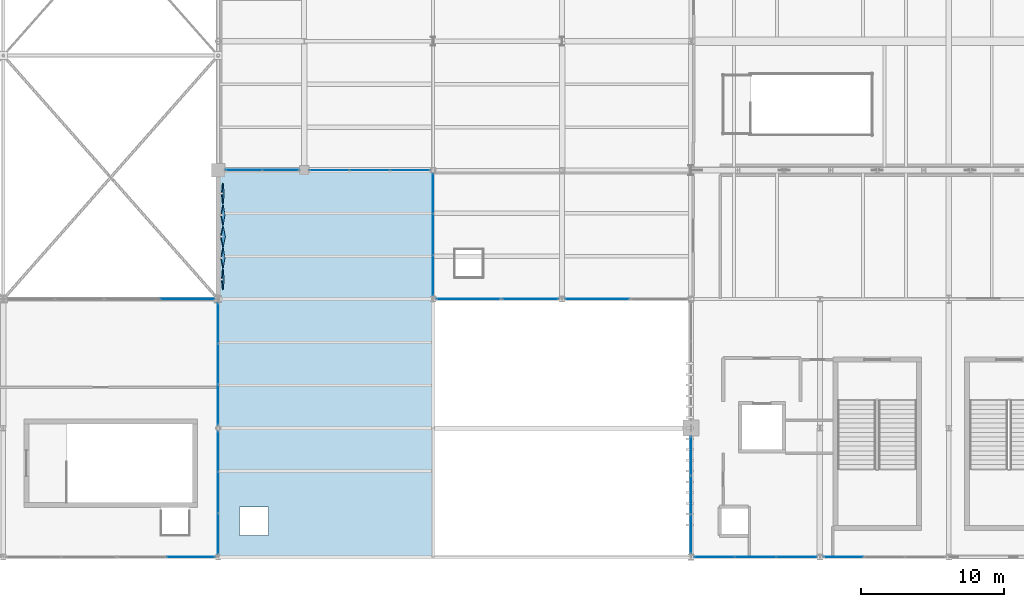
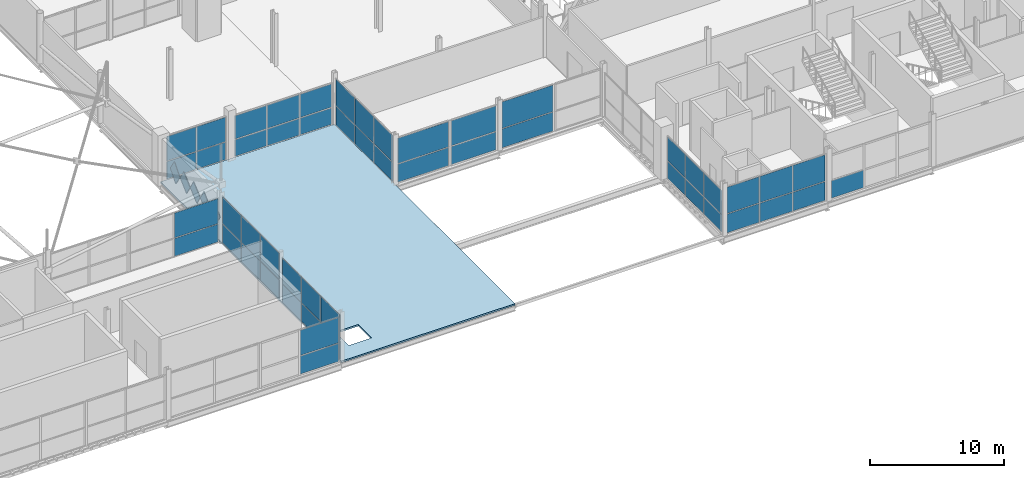
# One storey, part 167 of 224: 56 plates, 1 slab, 13 elements without a shape of their own.
"""IFC4 building model written with IfcOpenShell, lengths in metres."""

import ifcopenshell
import ifcopenshell.guid

model = None  # the IFC model being written
_history = None  # IfcOwnerHistory: only IFC2X3 demands one
_inside = {}  # id of a spatial element -> (the spatial element, [elements in it])
_under = {}  # id of a project, library or spatial element -> (it, [spatial elements below it])
_declared = {}  # id of a project -> (the project, [libraries it declares])
_typed = {}  # id of a type object -> (the type object, [elements of that type])
_made_of = {}  # id of a material, layer set ... -> (it, [elements and type objects made of it])


def new_model(schema):
    """Start an empty IFC model of exactly this schema.

    Asked for "IFC4X3", IfcOpenShell would pick the latest addendum, in which some entities
    have other attributes; the version numbers below select the first issue.
    IFC2X3 requires an IfcOwnerHistory on every rooted entity: one is made here for all.
    """
    global model, _history
    if schema == "IFC4X3":
        model = ifcopenshell.file(schema_version=(4, 3, 0, 0))
    else:
        model = ifcopenshell.file(schema=schema)
    _inside.clear()
    _under.clear()
    _declared.clear()
    _typed.clear()
    _made_of.clear()
    _history = None
    if model.schema == "IFC2X3":
        org = make("IfcOrganization", Name="unknown")
        user = make(
            "IfcPersonAndOrganization",
            ThePerson=make("IfcPerson", FamilyName="unknown"),
            TheOrganization=org,
        )
        app = make(
            "IfcApplication",
            ApplicationDeveloper=org,
            Version="unknown",
            ApplicationFullName="unknown",
            ApplicationIdentifier="unknown",
        )
        _history = make(
            "IfcOwnerHistory",
            OwningUser=user,
            OwningApplication=app,
            ChangeAction="ADDED",
            CreationDate=0,
        )
    return model


def make(cls, **values):
    """One entity of the class cls with the attributes given. An attribute that is None is left unset."""
    return model.create_entity(
        cls, **{name: value for name, value in values.items() if value is not None}
    )


def rooted(cls, **values):
    """An entity with a GlobalId (a new one), such as an element, a storey or a relation."""
    return make(cls, GlobalId=ifcopenshell.guid.new(), OwnerHistory=_history, **values)


def si_unit(unit_type, name, prefix=None):
    """IfcSIUnit, for example si_unit("LENGTHUNIT", "METRE", prefix="MILLI")."""
    return make("IfcSIUnit", UnitType=unit_type, Prefix=prefix, Name=name)


def assignment(units):
    """IfcUnitAssignment: the units of a project."""
    return None if units is None else make("IfcUnitAssignment", Units=units)


def point(xyz):
    """IfcCartesianPoint."""
    return None if xyz is None else make("IfcCartesianPoint", Coordinates=xyz)


def direction(xyz):
    """IfcDirection."""
    return None if xyz is None else make("IfcDirection", DirectionRatios=xyz)


def frame(location, z_axis=None, x_axis=None):
    """IfcAxis2Placement3D, a coordinate frame: its origin and axes. An axis left out is left unset."""
    return make(
        "IfcAxis2Placement3D",
        Location=point(location),
        Axis=direction(z_axis),
        RefDirection=direction(x_axis),
    )


def frame_2d(location, x_axis=None):
    """IfcAxis2Placement2D, a coordinate frame in the plane: its origin and x axis."""
    return make(
        "IfcAxis2Placement2D", Location=point(location), RefDirection=direction(x_axis)
    )


def origin():
    """The frame at (0, 0, 0) with its axes left unset."""
    return frame((0.0, 0.0, 0.0))


def origin_2d():
    """The frame at (0, 0) in the plane with its x axis left unset."""
    return frame_2d((0.0, 0.0))


def place(relative_to, where):
    """IfcLocalPlacement: puts the frame where relative to a parent placement (None: the world)."""
    return make(
        "IfcLocalPlacement", PlacementRelTo=relative_to, RelativePlacement=where
    )


def context(
    kind, dimensions, precision=None, world=None, true_north=None, identifier=None
):
    """IfcGeometricRepresentationContext, for example the 3D "Model" context."""
    return make(
        "IfcGeometricRepresentationContext",
        ContextIdentifier=identifier,
        ContextType=kind,
        CoordinateSpaceDimension=dimensions,
        Precision=precision,
        WorldCoordinateSystem=world,
        TrueNorth=true_north,
    )


def subcontext(parent, identifier, kind, view, scale=None):
    """IfcGeometricRepresentationSubContext, for example "Body" below "Model"."""
    return make(
        "IfcGeometricRepresentationSubContext",
        ContextIdentifier=identifier,
        ContextType=kind,
        ParentContext=parent,
        TargetScale=scale,
        TargetView=view,
    )


def project(units=None, contexts=None):
    """IfcProject with its units and contexts."""
    return rooted(
        "IfcProject",
        Name="project",
        RepresentationContexts=contexts,
        UnitsInContext=assignment(units),
    )


def spatial(cls, under=None, at=None, **own):
    """A site, building, storey or space (cls), placed at a placement, below another one or the project."""
    s = rooted(cls, ObjectPlacement=at, **own)
    if under is not None:
        _under.setdefault(under.id(), (under, []))[1].append(s)
    return s


def polyline(points):
    """IfcPolyline through the points."""
    return make("IfcPolyline", Points=[point(p) for p in points])


def profile(cls, at=None, kind="AREA", **sizes):
    """A parametric profile (cls). Its sizes go by their IFC names, for example OverallWidth=200.0."""
    return make(cls, ProfileType=kind, Position=at, **sizes)


def rectangle(**sizes):
    """IfcRectangleProfileDef."""
    return profile("IfcRectangleProfileDef", **sizes)


def outline(outer, holes=None, kind="AREA"):
    """IfcArbitraryClosedProfileDef: a profile drawn as a closed curve; with holes, ...WithVoids."""
    if holes is None:
        return make("IfcArbitraryClosedProfileDef", ProfileType=kind, OuterCurve=outer)
    return make(
        "IfcArbitraryProfileDefWithVoids",
        ProfileType=kind,
        OuterCurve=outer,
        InnerCurves=holes,
    )


def extrude(swept, where, along, depth):
    """IfcExtrudedAreaSolid: the profile swept, set in the frame where, extruded along a direction by depth."""
    return make(
        "IfcExtrudedAreaSolid",
        SweptArea=swept,
        Position=where,
        ExtrudedDirection=direction(along),
        Depth=depth,
    )


def shape(context_of_items, identifier, shape_type, items):
    """IfcShapeRepresentation: the items that make up one representation, for example the "Body"."""
    return make(
        "IfcShapeRepresentation",
        ContextOfItems=context_of_items,
        RepresentationIdentifier=identifier,
        RepresentationType=shape_type,
        Items=items,
    )


def material(Name=None, Category=None):
    """IfcMaterial."""
    return make("IfcMaterial", Name=Name, Category=Category)


def layer(
    of_material, thickness, ventilated=None, Name=None, Category=None, Priority=None
):
    """IfcMaterialLayer: one layer of a wall or slab, of a material (None: an air gap)."""
    return make(
        "IfcMaterialLayer",
        Material=of_material,
        LayerThickness=thickness,
        IsVentilated=ventilated,
        Name=Name,
        Category=Category,
        Priority=Priority,
    )


def layer_set(layers, Name=None):
    """IfcMaterialLayerSet."""
    return make("IfcMaterialLayerSet", MaterialLayers=layers, LayerSetName=Name)


def made_of(thing, what):
    """Note that an element or type object is made of a material, layer set ...; save() writes the relation."""
    if what is not None:
        _made_of.setdefault(what.id(), (what, []))[1].append(thing)
    return thing


def type_object(cls, material=None, **own):
    """A type object (cls), such as IfcWallType, which elements share."""
    return made_of(rooted(cls, **own), material)


def element(
    cls,
    number,
    at=None,
    inside=None,
    cuts=None,
    type_object=None,
    material=None,
    context=None,
    identifier="Body",
    shape_type=None,
    held_by="IfcProductDefinitionShape",
    body=None,
    shapes=None,
    **own,
):
    """One element of the class cls, such as IfcWall. Its Tag is "e" and its number.

    at: its placement. inside: the storey or other place that contains it. cuts: it is an
    opening in that element (IfcRelVoidsElement). A single representation is given by context,
    identifier, shape_type and body (its items); several are given by shapes. held_by: the class
    of the entity that holds the representations. save() writes the other relations.
    """
    e = rooted(cls, Tag="e%d" % number, ObjectPlacement=at, **own)
    if body is not None:
        shapes = [shape(context, identifier, shape_type, body)]
    if shapes is not None:
        e.Representation = make(held_by, Representations=shapes)
    if inside is not None:
        _inside.setdefault(inside.id(), (inside, []))[1].append(e)
    if cuts is not None:
        rooted(
            "IfcRelVoidsElement", RelatingBuildingElement=cuts, RelatedOpeningElement=e
        )
    if type_object is not None:
        _typed.setdefault(type_object.id(), (type_object, []))[1].append(e)
    return made_of(e, material)


def aggregate(whole, parts):
    """IfcRelAggregates: a whole, such as a stair, and the parts it consists of."""
    return rooted("IfcRelAggregates", RelatingObject=whole, RelatedObjects=parts)


def save(model, path):
    """Write the relations noted so far, then the file.

    IfcRelAggregates (storeys below a building ...), IfcRelContainedInSpatialStructure (elements
    in a storey), IfcRelDefinesByType, IfcRelAssociatesMaterial and IfcRelDeclares: one each for
    every whole, place, type object, material and project.
    """
    for whole, parts in _under.values():
        aggregate(whole, parts)
    for where, things in _inside.values():
        rooted(
            "IfcRelContainedInSpatialStructure",
            RelatedElements=things,
            RelatingStructure=where,
        )
    for kind, things in _typed.values():
        rooted("IfcRelDefinesByType", RelatedObjects=things, RelatingType=kind)
    for what, things in _made_of.values():
        rooted("IfcRelAssociatesMaterial", RelatedObjects=things, RelatingMaterial=what)
    for by, libraries in _declared.values():
        rooted("IfcRelDeclares", RelatingContext=by, RelatedDefinitions=libraries)
    model.write(path)


model = new_model("IFC4")

# Units and contexts
model_context = context("Model", 3, precision=1e-05, world=origin(), true_north=direction((0.0, 1.0)))
body_context = subcontext(model_context, "Body", "Model", "MODEL_VIEW")
ifc_project = project(units=[si_unit("LENGTHUNIT", "METRE"), si_unit("AREAUNIT", "SQUARE_METRE"), si_unit("VOLUMEUNIT", "CUBIC_METRE"), si_unit("PLANEANGLEUNIT", "RADIAN"), si_unit("MASSUNIT", "GRAM", prefix="KILO")], contexts=[model_context])

# Site, building, storey
site_placement = place(None, origin())
site = spatial("IfcSite", under=ifc_project, at=site_placement, CompositionType="ELEMENT")
building_placement = place(site_placement, origin())
building = spatial("IfcBuilding", under=site, at=building_placement, Name="Qamarlyn Nura Convention Centre", CompositionType="ELEMENT")
storey_placement = place(building_placement, frame((0.0, 0.0, 10.800048828125)))
storey = spatial("IfcBuildingStorey", under=building, at=storey_placement, Name="L02", CompositionType="ELEMENT", Elevation=10.800048828125)

# Curtain wall, plates
ifc_material_1 = material(Name="Double-silver low-E insulated glass", Category="glass")
ifc_layer_1 = layer(ifc_material_1, 0.179931640625, Name="CW-UNIT-24")
ifc_layer_set_1 = layer_set([ifc_layer_1], Name="Double-silver low-E insulated glass")
curtain_wall_type_1 = type_object("IfcCurtainWallType", Name="CW-UNIT-24", PredefinedType="NOTDEFINED", material=ifc_layer_set_1)
curtain_wall_1_placement = place(storey_placement, origin())
curtain_wall_1 = element("IfcCurtainWall", 1, at=curtain_wall_1_placement, inside=storey, type_object=curtain_wall_type_1, Name="L02 unitised curtain wall V1-INT-S4-1B", PredefinedType="NOTDEFINED")
ifc_layer_2 = layer(ifc_material_1, 0.028076171875, Name="CWP-VIS-28")
ifc_layer_set_2 = layer_set([ifc_layer_2], Name="Double-silver low-E insulated glass")
plate_type_1 = type_object("IfcPlateType", Name="CWP-VIS-28", PredefinedType="CURTAIN_PANEL", material=ifc_layer_set_2)
plate_1_placement = place(storey_placement, frame((117.857177734375, 18.0, 0.059814453125), z_axis=(0.0, 0.0, 1.0), x_axis=(1.0, 0.0, 0.0)))
plate_1 = element("IfcPlate", 2, at=plate_1_placement, type_object=plate_type_1, Name="CW24 panel 2.1", PredefinedType="CURTAIN_PANEL", context=body_context, shape_type="SweptSolid", body=[
    extrude(rectangle(XDim=3.756591796875, YDim=0.028076171875, at=origin_2d()), origin(), (0.0, 0.0, 1.0), 1.6201171875),
])
plate_2_placement = place(storey_placement, frame((117.857177734375, 18.0, 1.739990234375), z_axis=(0.0, 0.0, 1.0), x_axis=(1.0, 0.0, 0.0)))
plate_2 = element("IfcPlate", 3, at=plate_2_placement, type_object=plate_type_1, Name="CW24 panel 2.2", PredefinedType="CURTAIN_PANEL", context=body_context, shape_type="SweptSolid", body=[
    extrude(rectangle(XDim=3.756591796875, YDim=0.028076171875, at=origin_2d()), origin(), (0.0, 0.0, 1.0), 2.27099609375),
])
aggregate(curtain_wall_1, [plate_1, plate_2])

ifc_layer_3 = layer(ifc_material_1, 0.179931640625, Name="CW-UNIT-25")
ifc_layer_set_3 = layer_set([ifc_layer_3], Name="Double-silver low-E insulated glass")
curtain_wall_type_2 = type_object("IfcCurtainWallType", Name="CW-UNIT-25", PredefinedType="NOTDEFINED", material=ifc_layer_set_3)
curtain_wall_2_placement = place(storey_placement, origin())
curtain_wall_2 = element("IfcCurtainWall", 4, at=curtain_wall_2_placement, inside=storey, type_object=curtain_wall_type_2, Name="L02 unitised curtain wall SF-S4-1A", PredefinedType="NOTDEFINED")
plate_3_placement = place(storey_placement, frame((118.089111328125, 0.0, 0.06982421875), z_axis=(0.0, 0.0, 1.0), x_axis=(-1.0, 0.0, 0.0)))
plate_3 = element("IfcPlate", 5, at=plate_3_placement, type_object=plate_type_1, Name="CW25 panel 1.1", PredefinedType="CURTAIN_PANEL", context=body_context, shape_type="SweptSolid", body=[
    extrude(rectangle(XDim=3.312744140625, YDim=0.028076171875, at=origin_2d()), origin(), (0.0, 0.0, 1.0), 1.635009765625),
])
plate_4_placement = place(storey_placement, frame((118.089111328125, 0.0, 1.77490234375), z_axis=(0.0, 0.0, 1.0), x_axis=(-1.0, 0.0, 0.0)))
plate_4 = element("IfcPlate", 6, at=plate_4_placement, type_object=plate_type_1, Name="CW25 panel 1.2", PredefinedType="CURTAIN_PANEL", context=body_context, shape_type="SweptSolid", body=[
    extrude(rectangle(XDim=3.312744140625, YDim=0.028076171875, at=origin_2d()), origin(), (0.0, 0.0, 1.0), 2.299072265625),
])
aggregate(curtain_wall_2, [plate_3, plate_4])

ifc_layer_4 = layer(ifc_material_1, 0.179931640625, Name="CW-UNIT-31")
ifc_layer_set_4 = layer_set([ifc_layer_4], Name="Double-silver low-E insulated glass")
curtain_wall_type_3 = type_object("IfcCurtainWallType", Name="CW-UNIT-31", PredefinedType="NOTDEFINED", material=ifc_layer_set_4)
curtain_wall_3_placement = place(storey_placement, origin())
curtain_wall_3 = element("IfcCurtainWall", 7, at=curtain_wall_3_placement, inside=storey, type_object=curtain_wall_type_3, Name="L02 unitised curtain wall V1E-1-1", PredefinedType="NOTDEFINED")
plate_5_placement = place(storey_placement, frame((120.0, 7.366455078125, 0.06005859375), z_axis=(0.0, 0.0, 1.0), x_axis=(0.0, -1.0, 0.0)))
plate_5 = element("IfcPlate", 8, at=plate_5_placement, type_object=plate_type_1, Name="CW31 panel 1.1", PredefinedType="CURTAIN_PANEL", context=body_context, shape_type="SweptSolid", body=[
    extrude(rectangle(XDim=2.79150390625, YDim=0.028076171875, at=origin_2d()), origin(), (0.0, 0.0, 1.0), 1.64990234375),
])
plate_6_placement = place(storey_placement, frame((120.0, 7.366455078125, 1.77001953125), z_axis=(0.0, 0.0, 1.0), x_axis=(0.0, -1.0, 0.0)))
plate_6 = element("IfcPlate", 9, at=plate_6_placement, type_object=plate_type_1, Name="CW31 panel 1.2", PredefinedType="CURTAIN_PANEL", context=body_context, shape_type="SweptSolid", body=[
    extrude(rectangle(XDim=2.79150390625, YDim=0.028076171875, at=origin_2d()), origin(), (0.0, 0.0, 1.0), 2.31396484375),
])
plate_7_placement = place(storey_placement, frame((120.0, 4.5, 0.06005859375), z_axis=(0.0, 0.0, 1.0), x_axis=(0.0, -1.0, 0.0)))
plate_7 = element("IfcPlate", 10, at=plate_7_placement, type_object=plate_type_1, Name="CW31 panel 2.1", PredefinedType="CURTAIN_PANEL", context=body_context, shape_type="SweptSolid", body=[
    extrude(rectangle(XDim=2.8212890625, YDim=0.028076171875, at=origin_2d()), origin(), (0.0, 0.0, 1.0), 1.64990234375),
])
plate_8_placement = place(storey_placement, frame((120.0, 4.5, 1.77001953125), z_axis=(0.0, 0.0, 1.0), x_axis=(0.0, -1.0, 0.0)))
plate_8 = element("IfcPlate", 11, at=plate_8_placement, type_object=plate_type_1, Name="CW31 panel 2.2", PredefinedType="CURTAIN_PANEL", context=body_context, shape_type="SweptSolid", body=[
    extrude(rectangle(XDim=2.8212890625, YDim=0.028076171875, at=origin_2d()), origin(), (0.0, 0.0, 1.0), 2.31396484375),
])
plate_9_placement = place(storey_placement, frame((120.0, 1.6337890625, 0.06005859375), z_axis=(0.0, 0.0, 1.0), x_axis=(0.0, -1.0, 0.0)))
plate_9 = element("IfcPlate", 12, at=plate_9_placement, type_object=plate_type_1, Name="CW31 panel 3.1", PredefinedType="CURTAIN_PANEL", context=body_context, shape_type="SweptSolid", body=[
    extrude(rectangle(XDim=2.79150390625, YDim=0.028076171875, at=origin_2d()), origin(), (0.0, 0.0, 1.0), 1.64990234375),
])
plate_10_placement = place(storey_placement, frame((120.0, 1.6337890625, 1.77001953125), z_axis=(0.0, 0.0, 1.0), x_axis=(0.0, -1.0, 0.0)))
plate_10 = element("IfcPlate", 13, at=plate_10_placement, type_object=plate_type_1, Name="CW31 panel 3.2", PredefinedType="CURTAIN_PANEL", context=body_context, shape_type="SweptSolid", body=[
    extrude(rectangle(XDim=2.79150390625, YDim=0.028076171875, at=origin_2d()), origin(), (0.0, 0.0, 1.0), 2.31396484375),
])
aggregate(curtain_wall_3, [plate_5, plate_6, plate_7, plate_8, plate_9, plate_10])

ifc_layer_5 = layer(ifc_material_1, 0.179931640625, Name="CW-UNIT-57")
ifc_layer_set_5 = layer_set([ifc_layer_5], Name="Double-silver low-E insulated glass")
curtain_wall_type_4 = type_object("IfcCurtainWallType", Name="CW-UNIT-57", PredefinedType="NOTDEFINED", material=ifc_layer_set_5)
curtain_wall_4_placement = place(storey_placement, origin())
curtain_wall_4 = element("IfcCurtainWall", 14, at=curtain_wall_4_placement, inside=storey, type_object=curtain_wall_type_4, Name="L02 unitised curtain wall BRG-S-1", PredefinedType="NOTDEFINED")
plate_11_placement = place(storey_placement, frame((133.390869140625, 27.0, 0.06982421875), z_axis=(0.0, 0.0, 1.0), x_axis=(-1.0, 0.0, 0.0)))
plate_11 = element("IfcPlate", 15, at=plate_11_placement, type_object=plate_type_1, Name="CW57 panel 1.1", PredefinedType="CURTAIN_PANEL", context=body_context, shape_type="SweptSolid", body=[
    extrude(rectangle(XDim=2.728271484375, YDim=0.028076171875, at=origin_2d()), origin(), (0.0, 0.0, 1.0), 1.507080078125),
])
plate_12_placement = place(storey_placement, frame((133.390869140625, 27.0, 1.64697265625), z_axis=(0.0, 0.0, 1.0), x_axis=(-1.0, 0.0, 0.0)))
plate_12 = element("IfcPlate", 16, at=plate_12_placement, type_object=plate_type_1, Name="CW57 panel 1.2", PredefinedType="CURTAIN_PANEL", context=body_context, shape_type="SweptSolid", body=[
    extrude(rectangle(XDim=2.728271484375, YDim=0.028076171875, at=origin_2d()), origin(), (0.0, 0.0, 1.0), 2.1201171875),
])
plate_13_placement = place(storey_placement, frame((130.574951171875, 27.0, 0.06982421875), z_axis=(0.0, 0.0, 1.0), x_axis=(-1.0, 0.0, 0.0)))
plate_13 = element("IfcPlate", 17, at=plate_13_placement, type_object=plate_type_1, Name="CW57 panel 2.1", PredefinedType="CURTAIN_PANEL", context=body_context, shape_type="SweptSolid", body=[
    extrude(rectangle(XDim=2.763427734375, YDim=0.028076171875, at=origin_2d()), origin(), (0.0, 0.0, 1.0), 1.507080078125),
])
plate_14_placement = place(storey_placement, frame((130.574951171875, 27.0, 1.64697265625), z_axis=(0.0, 0.0, 1.0), x_axis=(-1.0, 0.0, 0.0)))
plate_14 = element("IfcPlate", 18, at=plate_14_placement, type_object=plate_type_1, Name="CW57 panel 2.2", PredefinedType="CURTAIN_PANEL", context=body_context, shape_type="SweptSolid", body=[
    extrude(rectangle(XDim=2.763427734375, YDim=0.028076171875, at=origin_2d()), origin(), (0.0, 0.0, 1.0), 2.1201171875),
])
plate_15_placement = place(storey_placement, frame((127.75927734375, 27.0, 0.06982421875), z_axis=(0.0, 0.0, 1.0), x_axis=(-1.0, 0.0, 0.0)))
plate_15 = element("IfcPlate", 19, at=plate_15_placement, type_object=plate_type_1, Name="CW57 panel 3.1", PredefinedType="CURTAIN_PANEL", context=body_context, shape_type="SweptSolid", body=[
    extrude(rectangle(XDim=2.728271484375, YDim=0.028076171875, at=origin_2d()), origin(), (0.0, 0.0, 1.0), 1.507080078125),
])
plate_16_placement = place(storey_placement, frame((127.75927734375, 27.0, 1.64697265625), z_axis=(0.0, 0.0, 1.0), x_axis=(-1.0, 0.0, 0.0)))
plate_16 = element("IfcPlate", 20, at=plate_16_placement, type_object=plate_type_1, Name="CW57 panel 3.2", PredefinedType="CURTAIN_PANEL", context=body_context, shape_type="SweptSolid", body=[
    extrude(rectangle(XDim=2.728271484375, YDim=0.028076171875, at=origin_2d()), origin(), (0.0, 0.0, 1.0), 2.1201171875),
])
aggregate(curtain_wall_4, [plate_11, plate_12, plate_13, plate_14, plate_15, plate_16])

ifc_layer_6 = layer(ifc_material_1, 0.179931640625, Name="CW-UNIT-96")
ifc_layer_set_6 = layer_set([ifc_layer_6], Name="Double-silver low-E insulated glass")
curtain_wall_type_5 = type_object("IfcCurtainWallType", Name="CW-UNIT-96", PredefinedType="NOTDEFINED", material=ifc_layer_set_6)
curtain_wall_5_placement = place(storey_placement, origin())
curtain_wall_5 = element("IfcCurtainWall", 21, at=curtain_wall_5_placement, inside=storey, type_object=curtain_wall_type_5, Name="L02 unitised curtain wall STH-1-1", PredefinedType="NOTDEFINED")
plate_17_placement = place(storey_placement, frame((160.352783203125, 0.0, 0.06005859375), z_axis=(0.0, 0.0, 1.0), x_axis=(-1.0, 0.0, 0.0)))
plate_17 = element("IfcPlate", 22, at=plate_17_placement, type_object=plate_type_1, Name="CW96 panel 1.1", PredefinedType="CURTAIN_PANEL", context=body_context, shape_type="SweptSolid", body=[
    extrude(rectangle(XDim=2.775390625, YDim=0.028076171875, at=origin_2d()), origin(), (0.0, 0.0, 1.0), 1.7099609375),
])
plate_18_placement = place(storey_placement, frame((160.352783203125, 0.0, 1.829833984375), z_axis=(0.0, 0.0, 1.0), x_axis=(-1.0, 0.0, 0.0)))
plate_18 = element("IfcPlate", 23, at=plate_18_placement, type_object=plate_type_1, Name="CW96 panel 1.2", PredefinedType="CURTAIN_PANEL", context=body_context, shape_type="SweptSolid", body=[
    extrude(rectangle(XDim=2.775390625, YDim=0.028076171875, at=origin_2d()), origin(), (0.0, 0.0, 1.0), 2.39501953125),
])
plate_19_placement = place(storey_placement, frame((157.50244140625, 0.0, 0.06005859375), z_axis=(0.0, 0.0, 1.0), x_axis=(-1.0, 0.0, 0.0)))
plate_19 = element("IfcPlate", 24, at=plate_19_placement, type_object=plate_type_1, Name="CW96 panel 2.1", PredefinedType="CURTAIN_PANEL", context=body_context, shape_type="SweptSolid", body=[
    extrude(rectangle(XDim=2.805419921875, YDim=0.028076171875, at=origin_2d()), origin(), (0.0, 0.0, 1.0), 1.7099609375),
])
plate_20_placement = place(storey_placement, frame((157.50244140625, 0.0, 1.829833984375), z_axis=(0.0, 0.0, 1.0), x_axis=(-1.0, 0.0, 0.0)))
plate_20 = element("IfcPlate", 25, at=plate_20_placement, type_object=plate_type_1, Name="CW96 panel 2.2", PredefinedType="CURTAIN_PANEL", context=body_context, shape_type="SweptSolid", body=[
    extrude(rectangle(XDim=2.805419921875, YDim=0.028076171875, at=origin_2d()), origin(), (0.0, 0.0, 1.0), 2.39501953125),
])
plate_21_placement = place(storey_placement, frame((154.652099609375, 0.0, 0.06005859375), z_axis=(0.0, 0.0, 1.0), x_axis=(-1.0, 0.0, 0.0)))
plate_21 = element("IfcPlate", 26, at=plate_21_placement, type_object=plate_type_1, Name="CW96 panel 3.1", PredefinedType="CURTAIN_PANEL", context=body_context, shape_type="SweptSolid", body=[
    extrude(rectangle(XDim=2.775390625, YDim=0.028076171875, at=origin_2d()), origin(), (0.0, 0.0, 1.0), 1.7099609375),
])
plate_22_placement = place(storey_placement, frame((154.652099609375, 0.0, 1.829833984375), z_axis=(0.0, 0.0, 1.0), x_axis=(-1.0, 0.0, 0.0)))
plate_22 = element("IfcPlate", 27, at=plate_22_placement, type_object=plate_type_1, Name="CW96 panel 3.2", PredefinedType="CURTAIN_PANEL", context=body_context, shape_type="SweptSolid", body=[
    extrude(rectangle(XDim=2.775390625, YDim=0.028076171875, at=origin_2d()), origin(), (0.0, 0.0, 1.0), 2.39501953125),
])
aggregate(curtain_wall_5, [plate_17, plate_18, plate_19, plate_20, plate_21, plate_22])

ifc_layer_7 = layer(ifc_material_1, 0.179931640625, Name="CW-UNIT-100")
ifc_layer_set_7 = layer_set([ifc_layer_7], Name="Double-silver low-E insulated glass")
curtain_wall_type_6 = type_object("IfcCurtainWallType", Name="CW-UNIT-100", PredefinedType="NOTDEFINED", material=ifc_layer_set_7)
curtain_wall_6_placement = place(storey_placement, origin())
curtain_wall_6 = element("IfcCurtainWall", 28, at=curtain_wall_6_placement, inside=storey, type_object=curtain_wall_type_6, Name="L02 unitised curtain wall FCW-0-1", PredefinedType="NOTDEFINED")
plate_23_placement = place(storey_placement, frame((153.0, 1.60302734375, 0.06982421875), z_axis=(0.0, 0.0, 1.0), x_axis=(0.0, 1.0, 0.0)))
plate_23 = element("IfcPlate", 29, at=plate_23_placement, type_object=plate_type_1, Name="CW100 panel 1.1", PredefinedType="CURTAIN_PANEL", context=body_context, shape_type="SweptSolid", body=[
    extrude(rectangle(XDim=2.640869140625, YDim=0.028076171875, at=origin_2d()), origin(), (0.0, 0.0, 1.0), 1.532958984375),
])
plate_24_placement = place(storey_placement, frame((153.0, 1.60302734375, 1.6728515625), z_axis=(0.0, 0.0, 1.0), x_axis=(0.0, 1.0, 0.0)))
plate_24 = element("IfcPlate", 30, at=plate_24_placement, type_object=plate_type_1, Name="CW100 panel 1.2", PredefinedType="CURTAIN_PANEL", context=body_context, shape_type="SweptSolid", body=[
    extrude(rectangle(XDim=2.640869140625, YDim=0.028076171875, at=origin_2d()), origin(), (0.0, 0.0, 1.0), 2.157958984375),
])
plate_25_placement = place(storey_placement, frame((153.0, 4.331298828125, 0.06982421875), z_axis=(0.0, 0.0, 1.0), x_axis=(0.0, 1.0, 0.0)))
plate_25 = element("IfcPlate", 31, at=plate_25_placement, type_object=plate_type_1, Name="CW100 panel 2.1", PredefinedType="CURTAIN_PANEL", context=body_context, shape_type="SweptSolid", body=[
    extrude(rectangle(XDim=2.67578125, YDim=0.028076171875, at=origin_2d()), origin(), (0.0, 0.0, 1.0), 1.532958984375),
])
plate_26_placement = place(storey_placement, frame((153.0, 4.331298828125, 1.6728515625), z_axis=(0.0, 0.0, 1.0), x_axis=(0.0, 1.0, 0.0)))
plate_26 = element("IfcPlate", 32, at=plate_26_placement, type_object=plate_type_1, Name="CW100 panel 2.2", PredefinedType="CURTAIN_PANEL", context=body_context, shape_type="SweptSolid", body=[
    extrude(rectangle(XDim=2.67578125, YDim=0.028076171875, at=origin_2d()), origin(), (0.0, 0.0, 1.0), 2.157958984375),
])
plate_27_placement = place(storey_placement, frame((153.0, 7.0595703125, 0.06982421875), z_axis=(0.0, 0.0, 1.0), x_axis=(0.0, 1.0, 0.0)))
plate_27 = element("IfcPlate", 33, at=plate_27_placement, type_object=plate_type_1, Name="CW100 panel 3.1", PredefinedType="CURTAIN_PANEL", context=body_context, shape_type="SweptSolid", body=[
    extrude(rectangle(XDim=2.640869140625, YDim=0.028076171875, at=origin_2d()), origin(), (0.0, 0.0, 1.0), 1.532958984375),
])
plate_28_placement = place(storey_placement, frame((153.0, 7.0595703125, 1.6728515625), z_axis=(0.0, 0.0, 1.0), x_axis=(0.0, 1.0, 0.0)))
plate_28 = element("IfcPlate", 34, at=plate_28_placement, type_object=plate_type_1, Name="CW100 panel 3.2", PredefinedType="CURTAIN_PANEL", context=body_context, shape_type="SweptSolid", body=[
    extrude(rectangle(XDim=2.640869140625, YDim=0.028076171875, at=origin_2d()), origin(), (0.0, 0.0, 1.0), 2.157958984375),
])
aggregate(curtain_wall_6, [plate_23, plate_24, plate_25, plate_26, plate_27, plate_28])

ifc_layer_8 = layer(ifc_material_1, 0.179931640625, Name="CW-UNIT-102")
ifc_layer_set_8 = layer_set([ifc_layer_8], Name="Double-silver low-E insulated glass")
curtain_wall_type_7 = type_object("IfcCurtainWallType", Name="CW-UNIT-102", PredefinedType="NOTDEFINED", material=ifc_layer_set_8)
curtain_wall_7_placement = place(storey_placement, origin())
curtain_wall_7 = element("IfcCurtainWall", 35, at=curtain_wall_7_placement, inside=storey, type_object=curtain_wall_type_7, Name="L02 unitised curtain wall BLW-S-1", PredefinedType="NOTDEFINED")
plate_29_placement = place(storey_placement, frame((135.0, 19.649658203125, 0.06005859375), z_axis=(0.0, 0.0, 1.0), x_axis=(0.0, 1.0, 0.0)))
plate_29 = element("IfcPlate", 36, at=plate_29_placement, type_object=plate_type_1, Name="CW102 panel 1.1", PredefinedType="CURTAIN_PANEL", context=body_context, shape_type="SweptSolid", body=[
    extrude(rectangle(XDim=2.7861328125, YDim=0.028076171875, at=origin_2d()), origin(), (0.0, 0.0, 1.0), 1.719970703125),
])
plate_30_placement = place(storey_placement, frame((135.0, 19.649658203125, 1.83984375), z_axis=(0.0, 0.0, 1.0), x_axis=(0.0, 1.0, 0.0)))
plate_30 = element("IfcPlate", 37, at=plate_30_placement, type_object=plate_type_1, Name="CW102 panel 1.2", PredefinedType="CURTAIN_PANEL", context=body_context, shape_type="SweptSolid", body=[
    extrude(rectangle(XDim=2.7861328125, YDim=0.028076171875, at=origin_2d()), origin(), (0.0, 0.0, 1.0), 2.409912109375),
])
plate_31_placement = place(storey_placement, frame((135.0, 22.5107421875, 0.06005859375), z_axis=(0.0, 0.0, 1.0), x_axis=(0.0, 1.0, 0.0)))
plate_31 = element("IfcPlate", 38, at=plate_31_placement, type_object=plate_type_1, Name="CW102 panel 2.1", PredefinedType="CURTAIN_PANEL", context=body_context, shape_type="SweptSolid", body=[
    extrude(rectangle(XDim=2.816162109375, YDim=0.028076171875, at=origin_2d()), origin(), (0.0, 0.0, 1.0), 1.719970703125),
])
plate_32_placement = place(storey_placement, frame((135.0, 22.5107421875, 1.83984375), z_axis=(0.0, 0.0, 1.0), x_axis=(0.0, 1.0, 0.0)))
plate_32 = element("IfcPlate", 39, at=plate_32_placement, type_object=plate_type_1, Name="CW102 panel 2.2", PredefinedType="CURTAIN_PANEL", context=body_context, shape_type="SweptSolid", body=[
    extrude(rectangle(XDim=2.816162109375, YDim=0.028076171875, at=origin_2d()), origin(), (0.0, 0.0, 1.0), 2.409912109375),
])
plate_33_placement = place(storey_placement, frame((135.0, 25.371826171875, 0.06005859375), z_axis=(0.0, 0.0, 1.0), x_axis=(0.0, 1.0, 0.0)))
plate_33 = element("IfcPlate", 40, at=plate_33_placement, type_object=plate_type_1, Name="CW102 panel 3.1", PredefinedType="CURTAIN_PANEL", context=body_context, shape_type="SweptSolid", body=[
    extrude(rectangle(XDim=2.7861328125, YDim=0.028076171875, at=origin_2d()), origin(), (0.0, 0.0, 1.0), 1.719970703125),
])
plate_34_placement = place(storey_placement, frame((135.0, 25.371826171875, 1.83984375), z_axis=(0.0, 0.0, 1.0), x_axis=(0.0, 1.0, 0.0)))
plate_34 = element("IfcPlate", 41, at=plate_34_placement, type_object=plate_type_1, Name="CW102 panel 3.2", PredefinedType="CURTAIN_PANEL", context=body_context, shape_type="SweptSolid", body=[
    extrude(rectangle(XDim=2.7861328125, YDim=0.028076171875, at=origin_2d()), origin(), (0.0, 0.0, 1.0), 2.409912109375),
])
aggregate(curtain_wall_7, [plate_29, plate_30, plate_31, plate_32, plate_33, plate_34])

ifc_layer_9 = layer(ifc_material_1, 0.179931640625, Name="CW-UNIT-105")
ifc_layer_set_9 = layer_set([ifc_layer_9], Name="Double-silver low-E insulated glass")
curtain_wall_type_8 = type_object("IfcCurtainWallType", Name="CW-UNIT-105", PredefinedType="NOTDEFINED", material=ifc_layer_set_9)
curtain_wall_8_placement = place(storey_placement, origin())
curtain_wall_8 = element("IfcCurtainWall", 42, at=curtain_wall_8_placement, inside=storey, type_object=curtain_wall_type_8, Name="L02 unitised curtain wall BLW-SE-2A", PredefinedType="NOTDEFINED")
plate_35_placement = place(storey_placement, frame((141.79931640625, 18.0, 0.06982421875), z_axis=(0.0, 0.0, 1.0), x_axis=(-1.0, 0.0, 0.0)))
plate_35 = element("IfcPlate", 43, at=plate_35_placement, type_object=plate_type_1, Name="CW105 panel 1.1", PredefinedType="CURTAIN_PANEL", context=body_context, shape_type="SweptSolid", body=[
    extrude(rectangle(XDim=3.862548828125, YDim=0.028076171875, at=origin_2d()), origin(), (0.0, 0.0, 1.0), 1.635009765625),
])
plate_36_placement = place(storey_placement, frame((141.79931640625, 18.0, 1.77490234375), z_axis=(0.0, 0.0, 1.0), x_axis=(-1.0, 0.0, 0.0)))
plate_36 = element("IfcPlate", 44, at=plate_36_placement, type_object=plate_type_1, Name="CW105 panel 1.2", PredefinedType="CURTAIN_PANEL", context=body_context, shape_type="SweptSolid", body=[
    extrude(rectangle(XDim=3.862548828125, YDim=0.028076171875, at=origin_2d()), origin(), (0.0, 0.0, 1.0), 2.299072265625),
])
aggregate(curtain_wall_8, [plate_35, plate_36])

ifc_layer_10 = layer(ifc_material_1, 0.179931640625, Name="CW-UNIT-106")
ifc_layer_set_10 = layer_set([ifc_layer_10], Name="Double-silver low-E insulated glass")
curtain_wall_type_9 = type_object("IfcCurtainWallType", Name="CW-UNIT-106", PredefinedType="NOTDEFINED", material=ifc_layer_set_10)
curtain_wall_9_placement = place(storey_placement, origin())
curtain_wall_9 = element("IfcCurtainWall", 45, at=curtain_wall_9_placement, inside=storey, type_object=curtain_wall_type_9, Name="L02 unitised curtain wall BLW-SE-2B", PredefinedType="NOTDEFINED")
plate_37_placement = place(storey_placement, frame((137.458740234375, 18.0, 0.06494140625), z_axis=(0.0, 0.0, 1.0), x_axis=(-1.0, 0.0, 0.0)))
plate_37 = element("IfcPlate", 46, at=plate_37_placement, type_object=plate_type_1, Name="CW106 panel 1.1", PredefinedType="CURTAIN_PANEL", context=body_context, shape_type="SweptSolid", body=[
    extrude(rectangle(XDim=4.388427734375, YDim=0.028076171875, at=origin_2d()), origin(), (0.0, 0.0, 1.0), 1.642578125),
])
plate_38_placement = place(storey_placement, frame((137.458740234375, 18.0, 1.7724609375), z_axis=(0.0, 0.0, 1.0), x_axis=(-1.0, 0.0, 0.0)))
plate_38 = element("IfcPlate", 47, at=plate_38_placement, type_object=plate_type_1, Name="CW106 panel 1.2", PredefinedType="CURTAIN_PANEL", context=body_context, shape_type="SweptSolid", body=[
    extrude(rectangle(XDim=4.388427734375, YDim=0.028076171875, at=origin_2d()), origin(), (0.0, 0.0, 1.0), 2.306396484375),
])
aggregate(curtain_wall_9, [plate_37, plate_38])

ifc_layer_11 = layer(ifc_material_1, 0.179931640625, Name="CW-UNIT-32")
ifc_layer_set_11 = layer_set([ifc_layer_11], Name="Double-silver low-E insulated glass")
curtain_wall_type_10 = type_object("IfcCurtainWallType", Name="CW-UNIT-32", PredefinedType="NOTDEFINED", material=ifc_layer_set_11)
curtain_wall_10_placement = place(storey_placement, origin())
curtain_wall_10 = element("IfcCurtainWall", 48, at=curtain_wall_10_placement, inside=storey, type_object=curtain_wall_type_10, Name="L02 unitised curtain wall V1E-2-1", PredefinedType="NOTDEFINED")
ifc_layer_12 = layer(ifc_material_1, 0.031982421875, Name="CWP-VIS-32")
ifc_layer_set_12 = layer_set([ifc_layer_12], Name="Double-silver low-E insulated glass")
plate_type_2 = type_object("IfcPlateType", Name="CWP-VIS-32", PredefinedType="CURTAIN_PANEL", material=ifc_layer_set_12)
plate_39_placement = place(storey_placement, frame((120.0, 16.3349609375, 0.06982421875), z_axis=(0.0, 0.0, 1.0), x_axis=(0.0, -1.0, 0.0)))
plate_39 = element("IfcPlate", 49, at=plate_39_placement, type_object=plate_type_2, Name="CW32 panel 1.1", PredefinedType="CURTAIN_PANEL", context=body_context, shape_type="SweptSolid", body=[
    extrude(rectangle(XDim=2.764892578125, YDim=0.031982421875, at=origin_2d()), origin(), (0.0, 0.0, 1.0), 1.705078125),
])
plate_40_placement = place(storey_placement, frame((120.0, 16.3349609375, 1.844970703125), z_axis=(0.0, 0.0, 1.0), x_axis=(0.0, -1.0, 0.0)))
plate_40 = element("IfcPlate", 50, at=plate_40_placement, type_object=plate_type_2, Name="CW32 panel 1.2", PredefinedType="CURTAIN_PANEL", context=body_context, shape_type="SweptSolid", body=[
    extrude(rectangle(XDim=2.764892578125, YDim=0.031982421875, at=origin_2d()), origin(), (0.0, 0.0, 1.0), 2.39501953125),
])
plate_41_placement = place(storey_placement, frame((120.0, 13.482666015625, 0.06982421875), z_axis=(0.0, 0.0, 1.0), x_axis=(0.0, -1.0, 0.0)))
plate_41 = element("IfcPlate", 51, at=plate_41_placement, type_object=plate_type_2, Name="CW32 panel 2.1", PredefinedType="CURTAIN_PANEL", context=body_context, shape_type="SweptSolid", body=[
    extrude(rectangle(XDim=2.7998046875, YDim=0.031982421875, at=origin_2d()), origin(), (0.0, 0.0, 1.0), 1.705078125),
])
plate_42_placement = place(storey_placement, frame((120.0, 13.482666015625, 1.844970703125), z_axis=(0.0, 0.0, 1.0), x_axis=(0.0, -1.0, 0.0)))
plate_42 = element("IfcPlate", 52, at=plate_42_placement, type_object=plate_type_2, Name="CW32 panel 2.2", PredefinedType="CURTAIN_PANEL", context=body_context, shape_type="SweptSolid", body=[
    extrude(rectangle(XDim=2.7998046875, YDim=0.031982421875, at=origin_2d()), origin(), (0.0, 0.0, 1.0), 2.39501953125),
])
plate_43_placement = place(storey_placement, frame((120.0, 10.63037109375, 0.06982421875), z_axis=(0.0, 0.0, 1.0), x_axis=(0.0, -1.0, 0.0)))
plate_43 = element("IfcPlate", 53, at=plate_43_placement, type_object=plate_type_2, Name="CW32 panel 3.1", PredefinedType="CURTAIN_PANEL", context=body_context, shape_type="SweptSolid", body=[
    extrude(rectangle(XDim=2.764892578125, YDim=0.031982421875, at=origin_2d()), origin(), (0.0, 0.0, 1.0), 1.705078125),
])
plate_44_placement = place(storey_placement, frame((120.0, 10.63037109375, 1.844970703125), z_axis=(0.0, 0.0, 1.0), x_axis=(0.0, -1.0, 0.0)))
plate_44 = element("IfcPlate", 54, at=plate_44_placement, type_object=plate_type_2, Name="CW32 panel 3.2", PredefinedType="CURTAIN_PANEL", context=body_context, shape_type="SweptSolid", body=[
    extrude(rectangle(XDim=2.764892578125, YDim=0.031982421875, at=origin_2d()), origin(), (0.0, 0.0, 1.0), 2.39501953125),
])
aggregate(curtain_wall_10, [plate_39, plate_40, plate_41, plate_42, plate_43, plate_44])

ifc_layer_13 = layer(ifc_material_1, 0.179931640625, Name="CW-UNIT-58")
ifc_layer_set_13 = layer_set([ifc_layer_13], Name="Double-silver low-E insulated glass")
curtain_wall_type_11 = type_object("IfcCurtainWallType", Name="CW-UNIT-58", PredefinedType="NOTDEFINED", material=ifc_layer_set_13)
curtain_wall_11_placement = place(storey_placement, origin())
curtain_wall_11 = element("IfcCurtainWall", 55, at=curtain_wall_11_placement, inside=storey, type_object=curtain_wall_type_11, Name="L02 unitised curtain wall BRG-S-2", PredefinedType="NOTDEFINED")
plate_45_placement = place(storey_placement, frame((124.358642578125, 27.0, 0.06494140625), z_axis=(0.0, 0.0, 1.0), x_axis=(-1.0, 0.0, 0.0)))
plate_45 = element("IfcPlate", 56, at=plate_45_placement, type_object=plate_type_2, Name="CW58 panel 1.1", PredefinedType="CURTAIN_PANEL", context=body_context, shape_type="SweptSolid", body=[
    extrude(rectangle(XDim=2.50244140625, YDim=0.031982421875, at=origin_2d()), origin(), (0.0, 0.0, 1.0), 1.58251953125),
])
plate_46_placement = place(storey_placement, frame((124.358642578125, 27.0, 1.71240234375), z_axis=(0.0, 0.0, 1.0), x_axis=(-1.0, 0.0, 0.0)))
plate_46 = element("IfcPlate", 57, at=plate_46_placement, type_object=plate_type_2, Name="CW58 panel 1.2", PredefinedType="CURTAIN_PANEL", context=body_context, shape_type="SweptSolid", body=[
    extrude(rectangle(XDim=2.50244140625, YDim=0.031982421875, at=origin_2d()), origin(), (0.0, 0.0, 1.0), 2.221435546875),
])
plate_47_placement = place(storey_placement, frame((121.791259765625, 27.0, 0.06494140625), z_axis=(0.0, 0.0, 1.0), x_axis=(-1.0, 0.0, 0.0)))
plate_47 = element("IfcPlate", 58, at=plate_47_placement, type_object=plate_type_2, Name="CW58 panel 2.1", PredefinedType="CURTAIN_PANEL", context=body_context, shape_type="SweptSolid", body=[
    extrude(rectangle(XDim=2.50244140625, YDim=0.031982421875, at=origin_2d()), origin(), (0.0, 0.0, 1.0), 1.58251953125),
])
plate_48_placement = place(storey_placement, frame((121.791259765625, 27.0, 1.71240234375), z_axis=(0.0, 0.0, 1.0), x_axis=(-1.0, 0.0, 0.0)))
plate_48 = element("IfcPlate", 59, at=plate_48_placement, type_object=plate_type_2, Name="CW58 panel 2.2", PredefinedType="CURTAIN_PANEL", context=body_context, shape_type="SweptSolid", body=[
    extrude(rectangle(XDim=2.50244140625, YDim=0.031982421875, at=origin_2d()), origin(), (0.0, 0.0, 1.0), 2.221435546875),
])
aggregate(curtain_wall_11, [plate_45, plate_46, plate_47, plate_48])

# Curtain wall, plate
ifc_layer_14 = layer(ifc_material_1, 0.179931640625, Name="CW-UNIT-97")
ifc_layer_set_14 = layer_set([ifc_layer_14], Name="Double-silver low-E insulated glass")
curtain_wall_type_12 = type_object("IfcCurtainWallType", Name="CW-UNIT-97", PredefinedType="NOTDEFINED", material=ifc_layer_set_14)
curtain_wall_12_placement = place(storey_placement, origin())
curtain_wall_12 = element("IfcCurtainWall", 60, at=curtain_wall_12_placement, inside=storey, type_object=curtain_wall_type_12, Name="L02 unitised curtain wall STH-2-1", PredefinedType="NOTDEFINED")
plate_49_placement = place(storey_placement, frame((163.652587890625, 0.0, 0.06982421875), z_axis=(0.0, 0.0, 1.0), x_axis=(-1.0, 0.0, 0.0)))
plate_49 = element("IfcPlate", 61, at=plate_49_placement, type_object=plate_type_2, Name="CW97 panel 3.1", PredefinedType="CURTAIN_PANEL", context=body_context, shape_type="SweptSolid", body=[
    extrude(rectangle(XDim=2.76611328125, YDim=0.031982421875, at=origin_2d()), origin(), (0.0, 0.0, 1.0), 1.593994140625),
])
aggregate(curtain_wall_12, [plate_49])

# Curtain wall, plates
ifc_layer_15 = layer(ifc_material_1, 0.179931640625, Name="CW-UNIT-104")
ifc_layer_set_15 = layer_set([ifc_layer_15], Name="Double-silver low-E insulated glass")
curtain_wall_type_13 = type_object("IfcCurtainWallType", Name="CW-UNIT-104", PredefinedType="NOTDEFINED", material=ifc_layer_set_15)
curtain_wall_13_placement = place(storey_placement, origin())
curtain_wall_13 = element("IfcCurtainWall", 62, at=curtain_wall_13_placement, inside=storey, type_object=curtain_wall_type_13, Name="L02 unitised curtain wall BLW-SE-1B", PredefinedType="NOTDEFINED")
plate_50_placement = place(storey_placement, frame((146.458740234375, 18.0, 0.06005859375), z_axis=(0.0, 0.0, 1.0), x_axis=(-1.0, 0.0, 0.0)))
plate_50 = element("IfcPlate", 63, at=plate_50_placement, type_object=plate_type_2, Name="CW104 panel 1.1", PredefinedType="CURTAIN_PANEL", context=body_context, shape_type="SweptSolid", body=[
    extrude(rectangle(XDim=4.398193359375, YDim=0.031982421875, at=origin_2d()), origin(), (0.0, 0.0, 1.0), 1.719970703125),
])
plate_51_placement = place(storey_placement, frame((146.458740234375, 18.0, 1.83984375), z_axis=(0.0, 0.0, 1.0), x_axis=(-1.0, 0.0, 0.0)))
plate_51 = element("IfcPlate", 64, at=plate_51_placement, type_object=plate_type_2, Name="CW104 panel 1.2", PredefinedType="CURTAIN_PANEL", context=body_context, shape_type="SweptSolid", body=[
    extrude(rectangle(XDim=4.398193359375, YDim=0.031982421875, at=origin_2d()), origin(), (0.0, 0.0, 1.0), 2.409912109375),
])
aggregate(curtain_wall_13, [plate_50, plate_51])

# Plates
ifc_material_2 = material(Name="White high-albedo PVDF aluminium composite sheet", Category="aluminium")
ifc_layer_16 = layer(ifc_material_2, 0.02392578125, Name="FP-DIAM-03")
ifc_layer_set_16 = layer_set([ifc_layer_16], Name="White high-albedo PVDF aluminium composite sheet")
plate_type_3 = type_object("IfcPlateType", Name="FP-DIAM-03", PredefinedType="SHEET", material=ifc_layer_set_16)
for number, where, z_axis, x_axis, name in (
    (65, (120.31005859375, 25.36865234375, 1.699951171875), (0.998059468659, 0.0, 0.062267945373), (0.0, 1.0, 0.0), "L02 pivoted white diamond facade tile 0304"),
    (66, (120.31005859375, 19.36865234375, 1.699951171875), (0.998059468659, 0.0, 0.062267945373), (0.0, 1.0, 0.0), "L02 pivoted white diamond facade tile 0308"),
):
    element("IfcPlate", number, at=place(storey_placement, frame(where, z_axis=z_axis, x_axis=x_axis)), inside=storey, type_object=plate_type_3, Name=name, PredefinedType="SHEET", context=body_context, shape_type="SweptSolid", body=[
        extrude(outline(polyline([(-0.719970703125, 0.0), (0.0, -1.050048828125), (0.719970703125, 0.0), (0.0, 1.050048828125), (-0.719970703125, 0.0)])), origin(), (0.0, 0.0, 1.0), 0.02392578125),
    ])
ifc_layer_17 = layer(ifc_material_2, 0.0380859375, Name="FP-DIAM-07")
ifc_layer_set_17 = layer_set([ifc_layer_17], Name="White high-albedo PVDF aluminium composite sheet")
plate_type_4 = type_object("IfcPlateType", Name="FP-DIAM-07", PredefinedType="SHEET", material=ifc_layer_set_17)
for number, where, z_axis, x_axis, name in (
    (67, (120.31005859375, 23.86865234375, 1.699951171875), (0.99271534578, 0.0, 0.120483369194), (0.0, 1.0, 0.0), "L02 pivoted white diamond facade tile 0305"),
    (68, (120.31005859375, 20.86865234375, 1.699951171875), (0.99271534578, 0.0, 0.120483369194), (0.0, 1.0, 0.0), "L02 pivoted white diamond facade tile 0307"),
):
    element("IfcPlate", number, at=place(storey_placement, frame(where, z_axis=z_axis, x_axis=x_axis)), inside=storey, type_object=plate_type_4, Name=name, PredefinedType="SHEET", context=body_context, shape_type="SweptSolid", body=[
        extrude(outline(polyline([(-0.719970703125, 0.0), (0.0, -1.050048828125), (0.719970703125, 0.0), (0.0, 1.050048828125), (-0.719970703125, 0.0)])), origin(), (0.0, 0.0, 1.0), 0.0380859375),
    ])
ifc_layer_18 = layer(ifc_material_2, 0.0439453125, Name="FP-DIAM-08")
ifc_layer_set_18 = layer_set([ifc_layer_18], Name="White high-albedo PVDF aluminium composite sheet")
plate_type_5 = type_object("IfcPlateType", Name="FP-DIAM-08", PredefinedType="SHEET", material=ifc_layer_set_18)
plate_52_placement = place(storey_placement, frame((120.31005859375, 22.36865234375, 1.699951171875), z_axis=(0.989776230908, 0.0, 0.142628933706), x_axis=(0.0, 1.0, 0.0)))
element("IfcPlate", 69, at=plate_52_placement, inside=storey, type_object=plate_type_5, Name="L02 pivoted white diamond facade tile 0306", PredefinedType="SHEET", context=body_context, shape_type="SweptSolid", body=[
    extrude(outline(polyline([(-0.719970703125, 0.0), (0.0, -1.050048828125), (0.719970703125, 0.0), (0.0, 1.050048828125), (-0.719970703125, 0.0)])), origin(), (0.0, 0.0, 1.0), 0.0439453125),
])

# Slab
ifc_material_3 = material(Name="Concrete C40/50", Category="concrete")
ifc_layer_19 = layer(ifc_material_3, 0.14501953125, Name="RF-CAN")
ifc_layer_set_19 = layer_set([ifc_layer_19], Name="Concrete C40/50")
slab_type = type_object("IfcSlabType", Name="RF-CAN", PredefinedType="ROOF", material=ifc_layer_set_19)
slab_placement = place(storey_placement, frame((0.0, 0.0, -0.14501953125)))
element("IfcSlab", 70, at=slab_placement, inside=storey, type_object=slab_type, Name="L02 flat roof deck R-L02-V6A", PredefinedType="ROOF", context=body_context, shape_type="SweptSolid", body=[
    extrude(outline(polyline([(120.0, 0.0), (120.0, 27.0), (135.0, 27.0), (135.0, 0.0), (120.0, 0.0)]), holes=[polyline([(123.5, 3.5), (121.5, 3.5), (121.5, 1.5), (123.5, 1.5), (123.5, 3.5)])]), origin(), (0.0, 0.0, 1.0), 0.14501953125),
])

save(model, "model.ifc")
